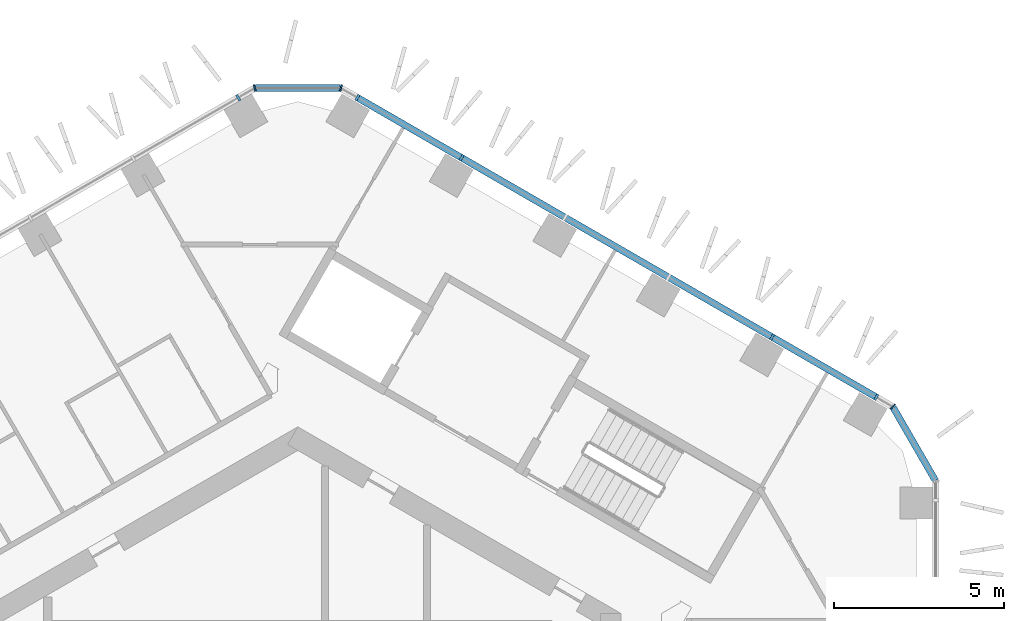
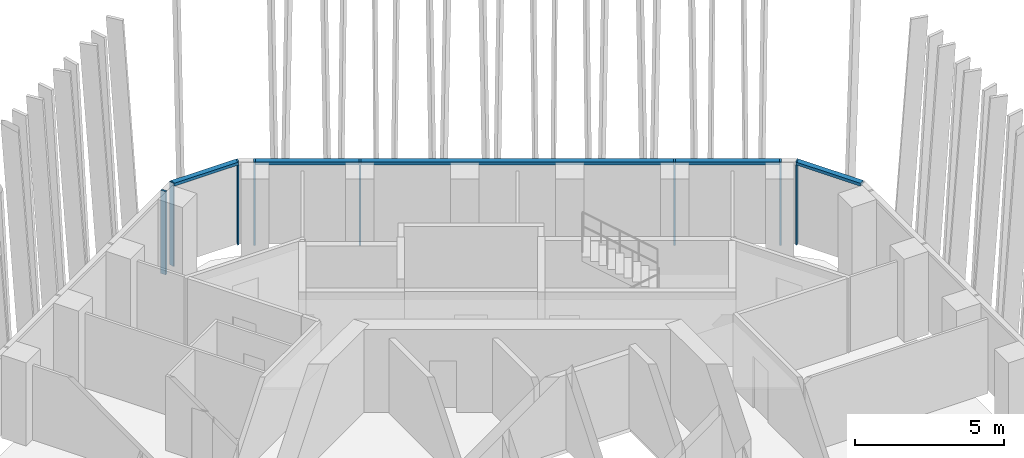
# One storey, part 7 of 21: 11 members, 4 elements without a shape of their own.
"""IFC4 building model written with IfcOpenShell, lengths in metres."""

import ifcopenshell
import ifcopenshell.guid

model = None  # the IFC model being written
_history = None  # IfcOwnerHistory: only IFC2X3 demands one
_inside = {}  # id of a spatial element -> (the spatial element, [elements in it])
_under = {}  # id of a project, library or spatial element -> (it, [spatial elements below it])
_declared = {}  # id of a project -> (the project, [libraries it declares])
_typed = {}  # id of a type object -> (the type object, [elements of that type])
_made_of = {}  # id of a material, layer set ... -> (it, [elements and type objects made of it])


def new_model(schema):
    """Start an empty IFC model of exactly this schema.

    Asked for "IFC4X3", IfcOpenShell would pick the latest addendum, in which some entities
    have other attributes; the version numbers below select the first issue.
    IFC2X3 requires an IfcOwnerHistory on every rooted entity: one is made here for all.
    """
    global model, _history
    if schema == "IFC4X3":
        model = ifcopenshell.file(schema_version=(4, 3, 0, 0))
    else:
        model = ifcopenshell.file(schema=schema)
    _inside.clear()
    _under.clear()
    _declared.clear()
    _typed.clear()
    _made_of.clear()
    _history = None
    if model.schema == "IFC2X3":
        org = make("IfcOrganization", Name="unknown")
        user = make(
            "IfcPersonAndOrganization",
            ThePerson=make("IfcPerson", FamilyName="unknown"),
            TheOrganization=org,
        )
        app = make(
            "IfcApplication",
            ApplicationDeveloper=org,
            Version="unknown",
            ApplicationFullName="unknown",
            ApplicationIdentifier="unknown",
        )
        _history = make(
            "IfcOwnerHistory",
            OwningUser=user,
            OwningApplication=app,
            ChangeAction="ADDED",
            CreationDate=0,
        )
    return model


def make(cls, **values):
    """One entity of the class cls with the attributes given. An attribute that is None is left unset."""
    return model.create_entity(
        cls, **{name: value for name, value in values.items() if value is not None}
    )


def rooted(cls, **values):
    """An entity with a GlobalId (a new one), such as an element, a storey or a relation."""
    return make(cls, GlobalId=ifcopenshell.guid.new(), OwnerHistory=_history, **values)


def si_unit(unit_type, name, prefix=None):
    """IfcSIUnit, for example si_unit("LENGTHUNIT", "METRE", prefix="MILLI")."""
    return make("IfcSIUnit", UnitType=unit_type, Prefix=prefix, Name=name)


def assignment(units):
    """IfcUnitAssignment: the units of a project."""
    return None if units is None else make("IfcUnitAssignment", Units=units)


def point(xyz):
    """IfcCartesianPoint."""
    return None if xyz is None else make("IfcCartesianPoint", Coordinates=xyz)


def direction(xyz):
    """IfcDirection."""
    return None if xyz is None else make("IfcDirection", DirectionRatios=xyz)


def frame(location, z_axis=None, x_axis=None):
    """IfcAxis2Placement3D, a coordinate frame: its origin and axes. An axis left out is left unset."""
    return make(
        "IfcAxis2Placement3D",
        Location=point(location),
        Axis=direction(z_axis),
        RefDirection=direction(x_axis),
    )


def frame_2d(location, x_axis=None):
    """IfcAxis2Placement2D, a coordinate frame in the plane: its origin and x axis."""
    return make(
        "IfcAxis2Placement2D", Location=point(location), RefDirection=direction(x_axis)
    )


def origin():
    """The frame at (0, 0, 0) with its axes left unset."""
    return frame((0.0, 0.0, 0.0))


def origin_2d():
    """The frame at (0, 0) in the plane with its x axis left unset."""
    return frame_2d((0.0, 0.0))


def place(relative_to, where):
    """IfcLocalPlacement: puts the frame where relative to a parent placement (None: the world)."""
    return make(
        "IfcLocalPlacement", PlacementRelTo=relative_to, RelativePlacement=where
    )


def context(
    kind, dimensions, precision=None, world=None, true_north=None, identifier=None
):
    """IfcGeometricRepresentationContext, for example the 3D "Model" context."""
    return make(
        "IfcGeometricRepresentationContext",
        ContextIdentifier=identifier,
        ContextType=kind,
        CoordinateSpaceDimension=dimensions,
        Precision=precision,
        WorldCoordinateSystem=world,
        TrueNorth=true_north,
    )


def subcontext(parent, identifier, kind, view, scale=None):
    """IfcGeometricRepresentationSubContext, for example "Body" below "Model"."""
    return make(
        "IfcGeometricRepresentationSubContext",
        ContextIdentifier=identifier,
        ContextType=kind,
        ParentContext=parent,
        TargetScale=scale,
        TargetView=view,
    )


def project(units=None, contexts=None):
    """IfcProject with its units and contexts."""
    return rooted(
        "IfcProject",
        Name="project",
        RepresentationContexts=contexts,
        UnitsInContext=assignment(units),
    )


def spatial(cls, under=None, at=None, **own):
    """A site, building, storey or space (cls), placed at a placement, below another one or the project."""
    s = rooted(cls, ObjectPlacement=at, **own)
    if under is not None:
        _under.setdefault(under.id(), (under, []))[1].append(s)
    return s


def profile(cls, at=None, kind="AREA", **sizes):
    """A parametric profile (cls). Its sizes go by their IFC names, for example OverallWidth=200.0."""
    return make(cls, ProfileType=kind, Position=at, **sizes)


def rectangle(**sizes):
    """IfcRectangleProfileDef."""
    return profile("IfcRectangleProfileDef", **sizes)


def extrude(swept, where, along, depth):
    """IfcExtrudedAreaSolid: the profile swept, set in the frame where, extruded along a direction by depth."""
    return make(
        "IfcExtrudedAreaSolid",
        SweptArea=swept,
        Position=where,
        ExtrudedDirection=direction(along),
        Depth=depth,
    )


def shape(context_of_items, identifier, shape_type, items):
    """IfcShapeRepresentation: the items that make up one representation, for example the "Body"."""
    return make(
        "IfcShapeRepresentation",
        ContextOfItems=context_of_items,
        RepresentationIdentifier=identifier,
        RepresentationType=shape_type,
        Items=items,
    )


def material(Name=None, Category=None):
    """IfcMaterial."""
    return make("IfcMaterial", Name=Name, Category=Category)


def layer(
    of_material, thickness, ventilated=None, Name=None, Category=None, Priority=None
):
    """IfcMaterialLayer: one layer of a wall or slab, of a material (None: an air gap)."""
    return make(
        "IfcMaterialLayer",
        Material=of_material,
        LayerThickness=thickness,
        IsVentilated=ventilated,
        Name=Name,
        Category=Category,
        Priority=Priority,
    )


def layer_set(layers, Name=None):
    """IfcMaterialLayerSet."""
    return make("IfcMaterialLayerSet", MaterialLayers=layers, LayerSetName=Name)


def material_profile(
    of_material, cross_section, Name=None, Category=None, Priority=None
):
    """IfcMaterialProfile: a cross section and its material."""
    return make(
        "IfcMaterialProfile",
        Name=Name,
        Material=of_material,
        Profile=cross_section,
        Priority=Priority,
        Category=Category,
    )


def profile_set(profiles, Name=None, composite=None):
    """IfcMaterialProfileSet."""
    return make(
        "IfcMaterialProfileSet",
        Name=Name,
        MaterialProfiles=profiles,
        CompositeProfile=composite,
    )


def made_of(thing, what):
    """Note that an element or type object is made of a material, layer set ...; save() writes the relation."""
    if what is not None:
        _made_of.setdefault(what.id(), (what, []))[1].append(thing)
    return thing


def type_object(cls, material=None, **own):
    """A type object (cls), such as IfcWallType, which elements share."""
    return made_of(rooted(cls, **own), material)


def element(
    cls,
    number,
    at=None,
    inside=None,
    cuts=None,
    type_object=None,
    material=None,
    context=None,
    identifier="Body",
    shape_type=None,
    held_by="IfcProductDefinitionShape",
    body=None,
    shapes=None,
    **own,
):
    """One element of the class cls, such as IfcWall. Its Tag is "e" and its number.

    at: its placement. inside: the storey or other place that contains it. cuts: it is an
    opening in that element (IfcRelVoidsElement). A single representation is given by context,
    identifier, shape_type and body (its items); several are given by shapes. held_by: the class
    of the entity that holds the representations. save() writes the other relations.
    """
    e = rooted(cls, Tag="e%d" % number, ObjectPlacement=at, **own)
    if body is not None:
        shapes = [shape(context, identifier, shape_type, body)]
    if shapes is not None:
        e.Representation = make(held_by, Representations=shapes)
    if inside is not None:
        _inside.setdefault(inside.id(), (inside, []))[1].append(e)
    if cuts is not None:
        rooted(
            "IfcRelVoidsElement", RelatingBuildingElement=cuts, RelatedOpeningElement=e
        )
    if type_object is not None:
        _typed.setdefault(type_object.id(), (type_object, []))[1].append(e)
    return made_of(e, material)


def aggregate(whole, parts):
    """IfcRelAggregates: a whole, such as a stair, and the parts it consists of."""
    return rooted("IfcRelAggregates", RelatingObject=whole, RelatedObjects=parts)


def save(model, path):
    """Write the relations noted so far, then the file.

    IfcRelAggregates (storeys below a building ...), IfcRelContainedInSpatialStructure (elements
    in a storey), IfcRelDefinesByType, IfcRelAssociatesMaterial and IfcRelDeclares: one each for
    every whole, place, type object, material and project.
    """
    for whole, parts in _under.values():
        aggregate(whole, parts)
    for where, things in _inside.values():
        rooted(
            "IfcRelContainedInSpatialStructure",
            RelatedElements=things,
            RelatingStructure=where,
        )
    for kind, things in _typed.values():
        rooted("IfcRelDefinesByType", RelatedObjects=things, RelatingType=kind)
    for what, things in _made_of.values():
        rooted("IfcRelAssociatesMaterial", RelatedObjects=things, RelatingMaterial=what)
    for by, libraries in _declared.values():
        rooted("IfcRelDeclares", RelatingContext=by, RelatedDefinitions=libraries)
    model.write(path)


model = new_model("IFC4")

# Units and contexts
model_context = context("Model", 3, precision=1e-05, world=origin(), true_north=direction((0.0, 1.0)))
body_context = subcontext(model_context, "Body", "Model", "MODEL_VIEW")
ifc_project = project(units=[si_unit("LENGTHUNIT", "METRE"), si_unit("AREAUNIT", "SQUARE_METRE"), si_unit("VOLUMEUNIT", "CUBIC_METRE"), si_unit("PLANEANGLEUNIT", "RADIAN"), si_unit("MASSUNIT", "GRAM", prefix="KILO")], contexts=[model_context])

# Site, building, storey
site_placement = place(None, origin())
site = spatial("IfcSite", under=ifc_project, at=site_placement, CompositionType="ELEMENT")
building_placement = place(site_placement, origin())
building = spatial("IfcBuilding", under=site, at=building_placement, Name="Ayvan Gate Tower", CompositionType="ELEMENT")
storey_placement = place(building_placement, frame((0.0, 0.0, 152.699951171875)))
storey = spatial("IfcBuildingStorey", under=building, at=storey_placement, Name="L40", CompositionType="ELEMENT", Elevation=152.699951171875)

# Curtain wall, member
ifc_material = material(Name="Bronze anodised aluminium", Category="aluminium")
ifc_layer_1 = layer(ifc_material, 0.199951171875)
ifc_layer_set_1 = layer_set([ifc_layer_1], Name="Bronze anodised aluminium")
curtain_wall_type_1 = type_object("IfcCurtainWallType", Name="Stick curtain wall CW-2", PredefinedType="NOTDEFINED", material=ifc_layer_set_1)
curtain_wall_1_placement = place(storey_placement, origin())
curtain_wall_1 = element("IfcCurtainWall", 1, at=curtain_wall_1_placement, inside=storey, type_object=curtain_wall_type_1, Name="Stick curtain wall CW-2 L40", PredefinedType="NOTDEFINED")
ifc_material_profile_1 = material_profile(ifc_material, rectangle(XDim=0.199951171875, YDim=0.070068359375, at=origin_2d()), Name="Stick curtain wall CW-2 mullion 200 x 70")
ifc_profile_set_1 = profile_set([ifc_material_profile_1], Name="Bronze anodised aluminium")
member_type_1 = type_object("IfcMemberType", Name="Stick curtain wall CW-2 mullion 200 x 70", PredefinedType="MULLION", material=ifc_profile_set_1)
member_1_placement = place(storey_placement, frame((-1.752197265625, 20.65234375, 0.0), z_axis=(0.0, 0.0, 1.0), x_axis=(-0.5, 0.866025403784, 0.0)))
member_1 = element("IfcMember", 2, at=member_1_placement, type_object=member_type_1, Name="CW-2 mullion 1", PredefinedType="MULLION", context=body_context, shape_type="SweptSolid", body=[
    extrude(rectangle(XDim=0.199951171875, YDim=0.070068359375, at=origin_2d()), origin(), (0.0, 0.0, 1.0), 3.400146484375),
])
aggregate(curtain_wall_1, [member_1])

# Curtain wall, members
curtain_wall_2_placement = place(storey_placement, origin())
curtain_wall_2 = element("IfcCurtainWall", 3, at=curtain_wall_2_placement, inside=storey, type_object=curtain_wall_type_1, Name="Stick curtain wall CW-2 L40", PredefinedType="NOTDEFINED")
member_2_placement = place(storey_placement, frame((17.00927734375, 11.84375, 0.0), z_axis=(0.0, 0.0, 1.0), x_axis=(0.5, 0.866025403784, 0.0)))
member_2 = element("IfcMember", 4, at=member_2_placement, type_object=member_type_1, Name="CW-2 mullion 1", PredefinedType="MULLION", context=body_context, shape_type="SweptSolid", body=[
    extrude(rectangle(XDim=0.199951171875, YDim=0.070068359375, at=origin_2d()), origin(), (0.0, 0.0, 1.0), 3.400146484375),
])
member_3_placement = place(storey_placement, frame((13.9453125, 13.612548828125, 0.0), z_axis=(0.0, 0.0, 1.0), x_axis=(0.5, 0.866025403784, 0.0)))
member_3 = element("IfcMember", 5, at=member_3_placement, type_object=member_type_1, Name="CW-2 mullion 2", PredefinedType="MULLION", context=body_context, shape_type="SweptSolid", body=[
    extrude(rectangle(XDim=0.199951171875, YDim=0.070068359375, at=origin_2d()), origin(), (0.0, 0.0, 1.0), 3.400146484375),
])
member_4_placement = place(storey_placement, frame((4.815673828125, 18.883544921875, 0.0), z_axis=(0.0, 0.0, 1.0), x_axis=(0.5, 0.866025403784, 0.0)))
member_4 = element("IfcMember", 6, at=member_4_placement, type_object=member_type_1, Name="CW-2 mullion 5", PredefinedType="MULLION", context=body_context, shape_type="SweptSolid", body=[
    extrude(rectangle(XDim=0.199951171875, YDim=0.070068359375, at=origin_2d()), origin(), (0.0, 0.0, 1.0), 3.400146484375),
])
member_5_placement = place(storey_placement, frame((1.752197265625, 20.65234375, 0.0), z_axis=(0.0, 0.0, 1.0), x_axis=(0.5, 0.866025403784, 0.0)))
member_5 = element("IfcMember", 7, at=member_5_placement, type_object=member_type_1, Name="CW-2 mullion 6", PredefinedType="MULLION", context=body_context, shape_type="SweptSolid", body=[
    extrude(rectangle(XDim=0.199951171875, YDim=0.070068359375, at=origin_2d()), origin(), (0.0, 0.0, 1.0), 3.400146484375),
])
ifc_material_profile_2 = material_profile(ifc_material, rectangle(XDim=0.199951171875, YDim=0.1201171875, at=origin_2d()), Name="Stick curtain wall CW-2 transom 200 x 120")
ifc_profile_set_2 = profile_set([ifc_material_profile_2], Name="Bronze anodised aluminium")
member_type_2 = type_object("IfcMemberType", Name="Stick curtain wall CW-2 transom 200 x 120", PredefinedType="USERDEFINED", material=ifc_profile_set_2)
member_6_placement = place(storey_placement, frame((17.00927734375, 11.84375, 3.340087890625), z_axis=(-0.866027506252, 0.499996358401, 0.0), x_axis=(-0.499996358401, -0.866027506252, 0.0)))
member_6 = element("IfcMember", 8, at=member_6_placement, type_object=member_type_2, Name="CW-2 transom 1", ObjectType="TRANSOM", PredefinedType="USERDEFINED", context=body_context, shape_type="SweptSolid", body=[
    extrude(rectangle(XDim=0.199951171875, YDim=0.1201171875, at=origin_2d()), origin(), (0.0, 0.0, 1.0), 17.617431640625),
])
aggregate(curtain_wall_2, [member_2, member_3, member_4, member_5, member_6])

# Curtain wall, member
ifc_layer_2 = layer(ifc_material, 0.199951171875)
ifc_layer_set_2 = layer_set([ifc_layer_2], Name="Bronze anodised aluminium")
curtain_wall_type_2 = type_object("IfcCurtainWallType", Name="Stick curtain wall CW-6", PredefinedType="NOTDEFINED", material=ifc_layer_set_2)
curtain_wall_3_placement = place(storey_placement, origin())
curtain_wall_3 = element("IfcCurtainWall", 9, at=curtain_wall_3_placement, inside=storey, type_object=curtain_wall_type_2, Name="Stick curtain wall CW-6 L40", PredefinedType="NOTDEFINED")
ifc_material_profile_3 = material_profile(ifc_material, rectangle(XDim=0.199951171875, YDim=0.050048828125, at=origin_2d()), Name="Stick curtain wall CW-6 mullion 200 x 50")
ifc_profile_set_3 = profile_set([ifc_material_profile_3], Name="Bronze anodised aluminium")
member_type_3 = type_object("IfcMemberType", Name="Stick curtain wall CW-6 mullion 200 x 50", PredefinedType="MULLION", material=ifc_profile_set_3)
member_7_placement = place(storey_placement, frame((17.494140625, 11.563720703125, 0.0), z_axis=(0.0, 0.0, 1.0), x_axis=(0.707106781187, 0.707106781187, 0.0)))
member_7 = element("IfcMember", 10, at=member_7_placement, type_object=member_type_3, Name="CW-6 mullion 3", PredefinedType="MULLION", context=body_context, shape_type="SweptSolid", body=[
    extrude(rectangle(XDim=0.199951171875, YDim=0.050048828125, at=origin_2d()), origin(), (0.0, 0.0, 1.0), 3.400146484375),
])

# Curtain wall, members
curtain_wall_4_placement = place(storey_placement, origin())
curtain_wall_4 = element("IfcCurtainWall", 11, at=curtain_wall_4_placement, inside=storey, type_object=curtain_wall_type_2, Name="Stick curtain wall CW-6 L40", PredefinedType="NOTDEFINED")
member_8_placement = place(storey_placement, frame((1.267333984375, 20.932373046875, 0.0), z_axis=(0.0, 0.0, 1.0), x_axis=(0.258819045103, 0.965925826289, 0.0)))
member_8 = element("IfcMember", 12, at=member_8_placement, type_object=member_type_3, Name="CW-6 mullion 2", PredefinedType="MULLION", context=body_context, shape_type="SweptSolid", body=[
    extrude(rectangle(XDim=0.199951171875, YDim=0.050048828125, at=origin_2d()), origin(), (0.0, 0.0, 1.0), 3.400146484375),
])
member_9_placement = place(storey_placement, frame((-1.267333984375, 20.932373046875, 0.0), z_axis=(0.0, 0.0, 1.0), x_axis=(-0.258819045103, 0.965925826289, 0.0)))
member_9 = element("IfcMember", 13, at=member_9_placement, type_object=member_type_3, Name="CW-6 mullion 3", PredefinedType="MULLION", context=body_context, shape_type="SweptSolid", body=[
    extrude(rectangle(XDim=0.199951171875, YDim=0.050048828125, at=origin_2d()), origin(), (0.0, 0.0, 1.0), 3.400146484375),
])

# Member
ifc_material_profile_4 = material_profile(ifc_material, rectangle(XDim=0.199951171875, YDim=0.1201171875, at=origin_2d()), Name="Stick curtain wall CW-6 transom 200 x 120")
ifc_profile_set_4 = profile_set([ifc_material_profile_4], Name="Bronze anodised aluminium")
member_type_4 = type_object("IfcMemberType", Name="Stick curtain wall CW-6 transom 200 x 120", PredefinedType="USERDEFINED", material=ifc_profile_set_4)
member_10_placement = place(storey_placement, frame((18.7490234375, 9.390380859375, 3.340087890625), z_axis=(-0.499986149909, 0.86603339999, 0.0), x_axis=(-0.86603339999, -0.499986149909, 0.0)))
member_10 = element("IfcMember", 14, at=member_10_placement, type_object=member_type_4, Name="CW-6 transom 2", ObjectType="TRANSOM", PredefinedType="USERDEFINED", context=body_context, shape_type="SweptSolid", body=[
    extrude(rectangle(XDim=0.199951171875, YDim=0.1201171875, at=origin_2d()), origin(), (0.0, 0.0, 1.0), 2.484375),
])

aggregate(curtain_wall_3, [member_7, member_10])

member_11_placement = place(storey_placement, frame((1.2421875, 20.932373046875, 3.340087890625), z_axis=(-1.0, 0.0, 0.0), x_axis=(0.0, -1.0, 0.0)))
member_11 = element("IfcMember", 15, at=member_11_placement, type_object=member_type_4, Name="CW-6 transom 2", ObjectType="TRANSOM", PredefinedType="USERDEFINED", context=body_context, shape_type="SweptSolid", body=[
    extrude(rectangle(XDim=0.199951171875, YDim=0.1201171875, at=origin_2d()), origin(), (0.0, 0.0, 1.0), 2.484375),
])

aggregate(curtain_wall_4, [member_8, member_9, member_11])

save(model, "model.ifc")
